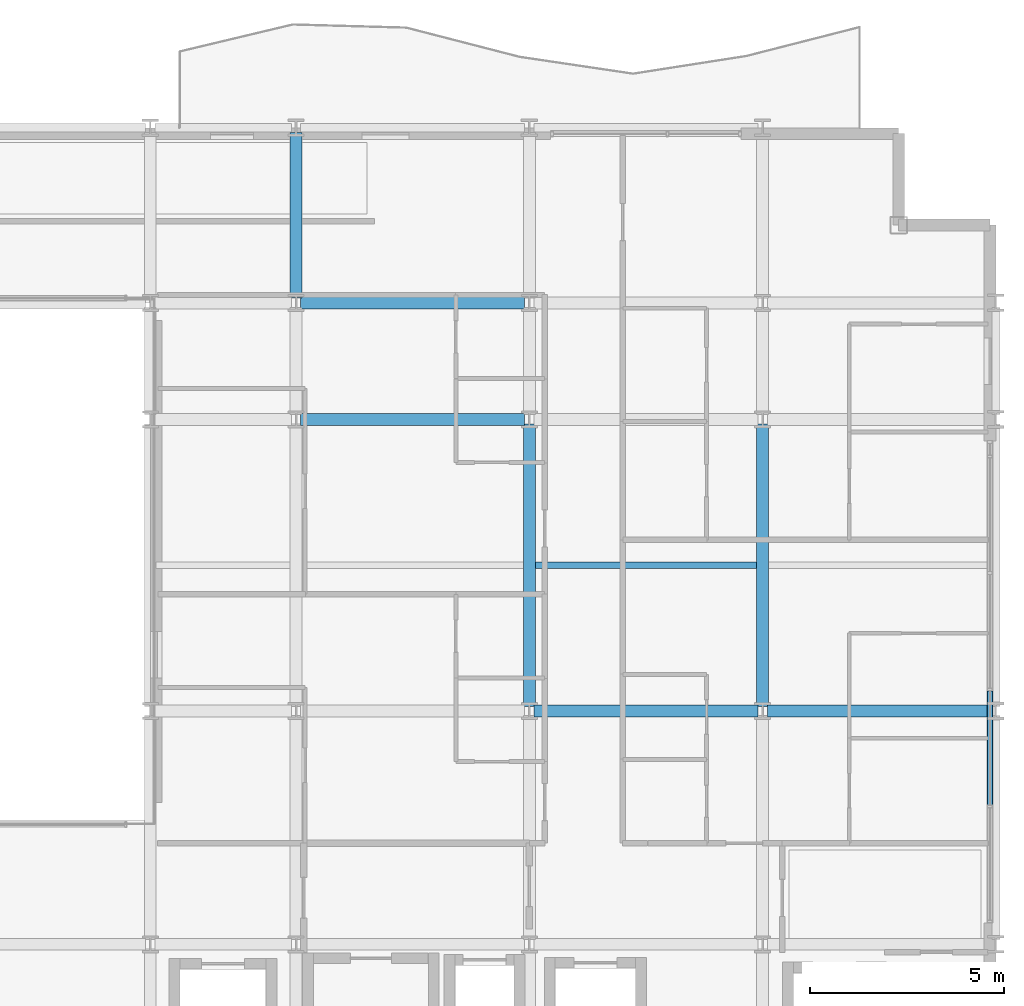
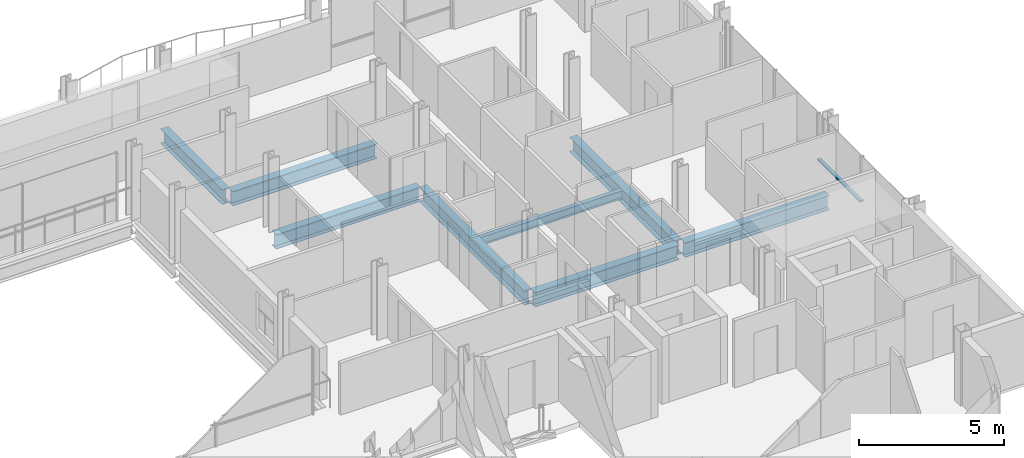
# One storey, part 18 of 41: 8 beams, 1 member, 1 element without a shape of its own.
"""IFC4 building model written with IfcOpenShell, lengths in metres."""

from ifc_helpers import new_model, si_unit, direction, frame, origin, origin_2d, place, context, subcontext, project, spatial, hollow_rectangle, i_section, extrude, material, layer, layer_set, material_profile, profile_set, type_object, element, aggregate, save


model = new_model("IFC4")

# Units and contexts
model_context = context("Model", 3, precision=1e-05, world=origin(), true_north=direction((0.0, 1.0)))
body_context = subcontext(model_context, "Body", "Model", "MODEL_VIEW")
ifc_project = project(units=[si_unit("LENGTHUNIT", "METRE"), si_unit("AREAUNIT", "SQUARE_METRE"), si_unit("VOLUMEUNIT", "CUBIC_METRE"), si_unit("PLANEANGLEUNIT", "RADIAN"), si_unit("MASSUNIT", "GRAM", prefix="KILO")], contexts=[model_context])

# Site, building, storey
site_placement = place(None, origin())
site = spatial("IfcSite", under=ifc_project, at=site_placement, CompositionType="ELEMENT")
building_placement = place(site_placement, origin())
building = spatial("IfcBuilding", under=site, at=building_placement, Name="Brevholm Reach", CompositionType="ELEMENT")
storey_placement = place(building_placement, frame((0.0, 0.0, 93.10009765625)))
storey = spatial("IfcBuildingStorey", under=building, at=storey_placement, Name="L27", CompositionType="ELEMENT", Elevation=93.10009765625)

# Beams
ifc_material_1 = material(Name="Structural Steel S355J2", Category="steel")
ifc_material_profile_1 = material_profile(ifc_material_1, i_section(OverallWidth=0.17138671875, OverallDepth=0.35498046875, WebThickness=0.00732421875, FlangeThickness=0.011474609375, FilletRadius=0.01025390625, at=origin_2d()), Name="UKB 356x171x51")
ifc_profile_set_1 = profile_set([ifc_material_profile_1], Name="Structural Steel S355J2")
beam_type_1 = type_object("IfcBeamType", Name="BM-B356", PredefinedType="BEAM", material=ifc_profile_set_1)
beam_1_placement = place(storey_placement, frame((48.153564453125, 19.75, -0.40771484375), z_axis=(1.0, 0.0, 0.0), x_axis=(0.0, 1.0, 0.0)))
element("IfcBeam", 1, at=beam_1_placement, inside=storey, type_object=beam_type_1, Name="L27 Composite Secondary Floor Beam", PredefinedType="BEAM", context=body_context, shape_type="SweptSolid", body=[
    extrude(i_section(OverallWidth=0.17138671875, OverallDepth=0.35498046875, WebThickness=0.00732421875, FlangeThickness=0.011474609375, FilletRadius=0.01025390625, at=origin_2d()), origin(), (0.0, 0.0, 1.0), 5.69287109375),
])
ifc_material_2 = material(Name="Structural Steel S355J2", Category="steel")
ifc_material_profile_2 = material_profile(ifc_material_2, i_section(OverallWidth=0.30712890625, OverallDepth=0.6201171875, WebThickness=0.01416015625, FlangeThickness=0.023681640625, FilletRadius=0.0166015625, at=origin_2d()), Name="UKB 610x305x179")
ifc_profile_set_2 = profile_set([ifc_material_profile_2], Name="Structural Steel S355J2")
beam_type_2 = type_object("IfcBeamType", Name="BM-UKB610H", PredefinedType="USERDEFINED", material=ifc_profile_set_2)
for number, where, z_axis, x_axis, name in (
    (2, (48.1201171875, 16.0, -0.540283203125), (1.0, 0.0, 0.0), (0.0, 1.0, 0.0), "L27 G-06 Framing Beam"),
    (3, (54.1201171875, 16.0, -0.540283203125), (1.0, 0.0, 0.0), (0.0, 1.0, 0.0), "L27 G-06 Framing Beam"),
    (4, (42.1201171875, 23.5, -0.540283203125), (1.0, 0.0, 0.0), (0.0, 1.0, 0.0), "L27 G-06 Framing Beam"),
    (5, (42.1201171875, 26.5, -0.540283203125), (1.0, 0.0, 0.0), (0.0, 1.0, 0.0), "L27 G-06 Framing Beam"),
):
    element("IfcBeam", number, at=place(storey_placement, frame(where, z_axis=z_axis, x_axis=x_axis)), inside=storey, type_object=beam_type_2, Name=name, ObjectType="GIRDER", PredefinedType="USERDEFINED", context=body_context, shape_type="SweptSolid", body=[
        extrude(i_section(OverallWidth=0.30712890625, OverallDepth=0.6201171875, WebThickness=0.01416015625, FlangeThickness=0.023681640625, FilletRadius=0.0166015625, at=origin_2d()), origin(), (0.0, 0.0, 1.0), 5.759765625),
    ])
beam_2_placement = place(storey_placement, frame((42.0, 26.6201171875, -0.540283203125), z_axis=(0.0, 1.0, 0.0), x_axis=(-1.0, 0.0, 0.0)))
element("IfcBeam", 6, at=beam_2_placement, inside=storey, type_object=beam_type_2, Name="L27 G-06 Framing Beam", ObjectType="GIRDER", PredefinedType="USERDEFINED", context=body_context, shape_type="SweptSolid", body=[
    extrude(i_section(OverallWidth=0.30712890625, OverallDepth=0.6201171875, WebThickness=0.01416015625, FlangeThickness=0.023681640625, FilletRadius=0.0166015625, at=origin_2d()), origin(), (0.0, 0.0, 1.0), 4.259765625),
])
for number, where, z_axis, x_axis, name in (
    (7, (48.0, 16.1201171875, -0.540283203125), (0.0, 1.0, 0.0), (-1.0, 0.0, 0.0), "L27 G-06 Framing Beam"),
    (8, (54.0, 16.1201171875, -0.540283203125), (0.0, 1.0, 0.0), (-1.0, 0.0, 0.0), "L27 G-06 Framing Beam"),
):
    element("IfcBeam", number, at=place(storey_placement, frame(where, z_axis=z_axis, x_axis=x_axis)), inside=storey, type_object=beam_type_2, Name=name, ObjectType="GIRDER", PredefinedType="USERDEFINED", context=body_context, shape_type="SweptSolid", body=[
        extrude(i_section(OverallWidth=0.30712890625, OverallDepth=0.6201171875, WebThickness=0.01416015625, FlangeThickness=0.023681640625, FilletRadius=0.0166015625, at=origin_2d()), origin(), (0.0, 0.0, 1.0), 7.259765625),
    ])

# Curtain wall, member
ifc_material_3 = material(Name="Dark Anodised Aluminium 6063-T6 and Solar-Control Glass", Category="aluminium")
ifc_layer = layer(ifc_material_3, 0.14990234375)
ifc_layer_set = layer_set([ifc_layer], Name="Dark Anodised Aluminium 6063-T6 and Solar-Control Glass")
curtain_wall_type = type_object("IfcCurtainWallType", Name="CW-01", PredefinedType="NOTDEFINED", material=ifc_layer_set)
curtain_wall_placement = place(storey_placement, origin())
curtain_wall = element("IfcCurtainWall", 9, at=curtain_wall_placement, inside=storey, type_object=curtain_wall_type, Name="L27 Curtain Wall CW-01", PredefinedType="NOTDEFINED")
ifc_material_4 = material(Name="Dark Anodised Aluminium 6063-T6", Category="aluminium")
ifc_material_profile_3 = material_profile(ifc_material_4, hollow_rectangle(XDim=0.06494140625, YDim=0.14990234375, WallThickness=0.0048828125, InnerFilletRadius=0.0048828125, OuterFilletRadius=0.010009765625, at=origin_2d()), Name="RHS 150x65x5")
ifc_profile_set_3 = profile_set([ifc_material_profile_3], Name="Dark Anodised Aluminium 6063-T6")
member_type = type_object("IfcMemberType", Name="CWT-150", PredefinedType="NOTDEFINED", material=ifc_profile_set_3)
member_placement = place(storey_placement, frame((59.85009765625, 13.58251953125, 0.89990234375), z_axis=(0.0, 1.0, 0.0), x_axis=(0.0, 0.0, 1.0)))
member = element("IfcMember", 10, at=member_placement, type_object=member_type, Name="CT-150 Transom 2.1", ObjectType="TRANSOM", PredefinedType="USERDEFINED", context=body_context, shape_type="SweptSolid", body=[
    extrude(hollow_rectangle(XDim=0.06494140625, YDim=0.14990234375, WallThickness=0.0048828125, InnerFilletRadius=0.0048828125, OuterFilletRadius=0.010009765625, at=origin_2d()), origin(), (0.0, 0.0, 1.0), 2.93505859375),
])
aggregate(curtain_wall, [member])

save(model, "model.ifc")
